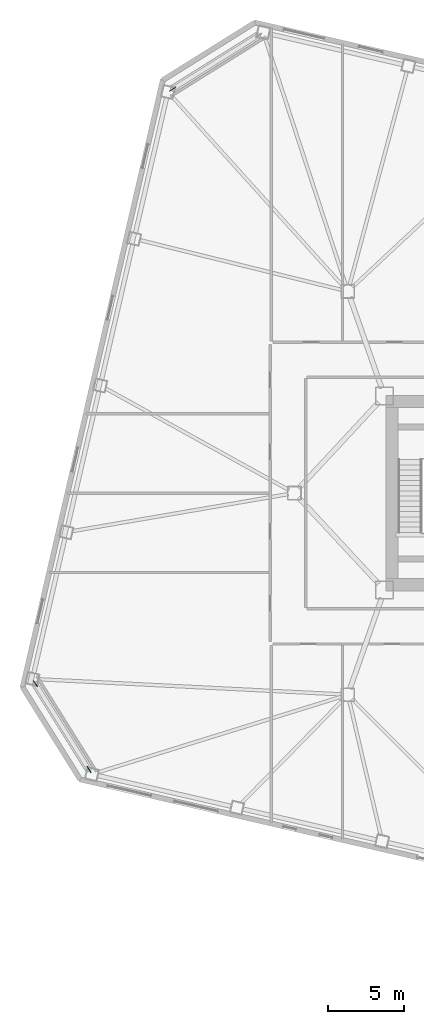
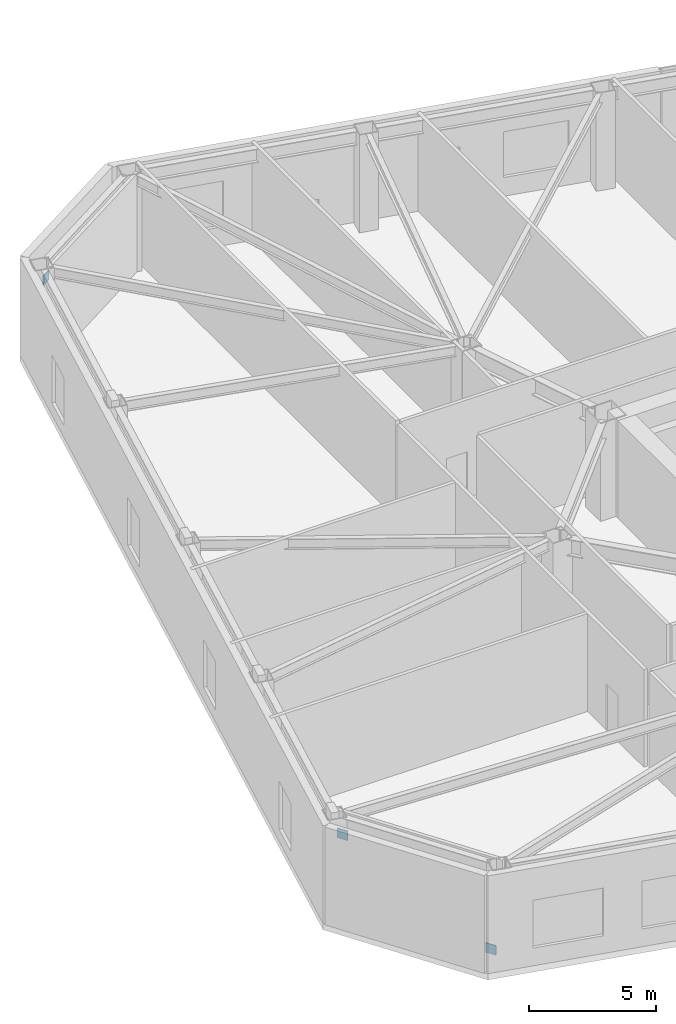
# One storey, part 15 of 20: 3 discrete accessories.
"""IFC4 building model written with IfcOpenShell, lengths in metres."""

from ifc_helpers import new_model, si_unit, direction, frame, origin, origin_2d, place, context, subcontext, project, spatial, rectangle, extrude, material, type_object, element, save


model = new_model("IFC4")

# Units and contexts
model_context = context("Model", 3, precision=1e-05, world=origin(), true_north=direction((0.0, 1.0)))
body_context = subcontext(model_context, "Body", "Model", "MODEL_VIEW")
ifc_project = project(units=[si_unit("LENGTHUNIT", "METRE"), si_unit("AREAUNIT", "SQUARE_METRE"), si_unit("VOLUMEUNIT", "CUBIC_METRE"), si_unit("PLANEANGLEUNIT", "RADIAN"), si_unit("MASSUNIT", "GRAM", prefix="KILO")], contexts=[model_context])

# Site, building, storey
site_placement = place(None, origin())
site = spatial("IfcSite", under=ifc_project, at=site_placement, CompositionType="ELEMENT")
building_placement = place(site_placement, origin())
building = spatial("IfcBuilding", under=site, at=building_placement, Name="Tavrogorsk Clinical Tower", CompositionType="ELEMENT")
storey_placement = place(building_placement, frame((0.0, 0.0, 13.39990234375)))
storey = spatial("IfcBuildingStorey", under=building, at=storey_placement, Name="L02", CompositionType="ELEMENT", Elevation=13.39990234375)

# Discrete accessories
ifc_material = material(Name="Structural steel S440", Category="steel")
discrete_accessory_type = type_object("IfcDiscreteAccessoryType", Name="GussetPlateBracket_25", PredefinedType="BRACKET", material=ifc_material)
for number, where, z_axis, x_axis, name in (
    (1, (-35.967041015625, 26.452880859375, 3.586669921875), (0.0, 0.0, 1.0), (-0.848048096156, -0.529919264233, 0.0), "L02 Brace Gusset Plate EXOCRN-L02-3-B"),
    (2, (-41.4443359375, -18.096923828125, 0.25341796875), (0.0, 0.0, 1.0), (-0.529919264233, 0.848048096156, 0.0), "L02 Brace Gusset Plate EXOCRN-L02-4-A"),
    (3, (-44.955078125, -12.478515625, 3.586669921875), (0.0, 0.0, 1.0), (-0.529919264233, 0.848048096156, 0.0), "L02 Brace Gusset Plate EXOCRN-L02-4-B"),
):
    element("IfcDiscreteAccessory", number, at=place(storey_placement, frame(where, z_axis=z_axis, x_axis=x_axis)), inside=storey, type_object=discrete_accessory_type, Name=name, PredefinedType="BRACKET", context=body_context, shape_type="SweptSolid", body=[
        extrude(rectangle(XDim=0.4599609375, YDim=0.0400390625, at=origin_2d()), origin(), (0.0, 0.0, 1.0), 0.4599609375),
    ])

save(model, "model.ifc")
